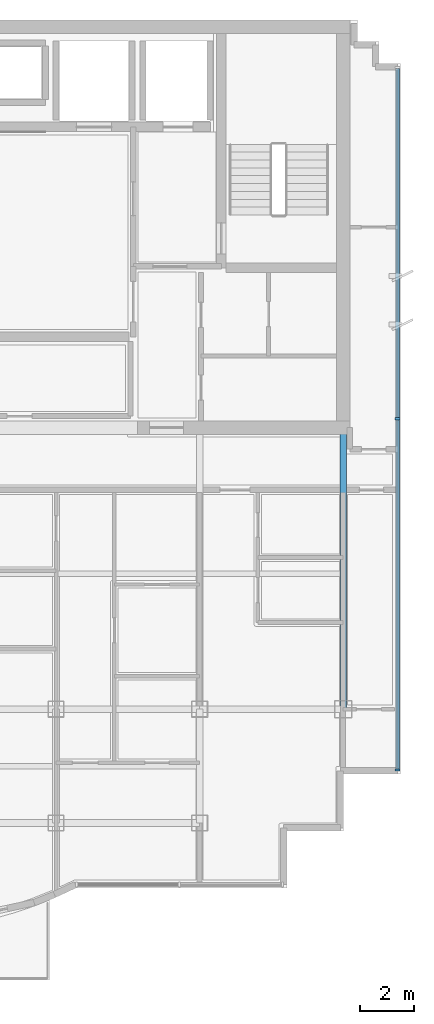
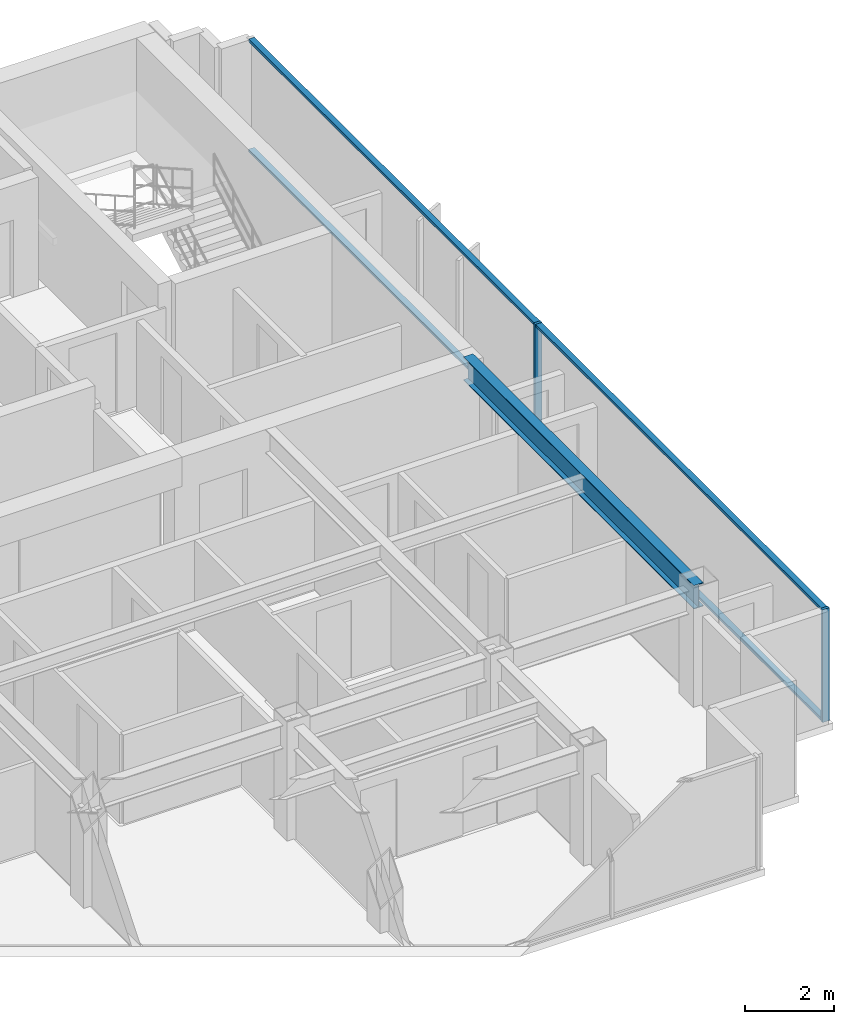
# One storey, part 3 of 11: 6 members, 1 beam, 1 element without a shape of its own.
"""IFC4 building model written with IfcOpenShell, lengths in metres."""

from ifc_helpers import new_model, si_unit, direction, frame, origin, origin_2d, place, context, subcontext, project, spatial, rectangle, i_section, extrude, source, transform, mapped, material, layer, layer_set, material_profile, profile_set, type_object, element, aggregate, save


model = new_model("IFC4")

# Units and contexts
model_context = context("Model", 3, precision=1e-05, world=origin(), true_north=direction((0.0, 1.0)))
body_context = subcontext(model_context, "Body", "Model", "MODEL_VIEW")
ifc_project = project(units=[si_unit("LENGTHUNIT", "METRE"), si_unit("AREAUNIT", "SQUARE_METRE"), si_unit("VOLUMEUNIT", "CUBIC_METRE"), si_unit("PLANEANGLEUNIT", "RADIAN"), si_unit("MASSUNIT", "GRAM", prefix="KILO")], contexts=[model_context])

# Site, building, storey
site_placement = place(None, origin())
site = spatial("IfcSite", under=ifc_project, at=site_placement, CompositionType="ELEMENT")
building_placement = place(site_placement, origin())
building = spatial("IfcBuilding", under=site, at=building_placement, Name="Qianlan Lanfeng Residences", CompositionType="ELEMENT")
storey_placement = place(building_placement, frame((0.0, 0.0, 259.39990234375)))
storey = spatial("IfcBuildingStorey", under=building, at=storey_placement, Name="L72", CompositionType="ELEMENT", Elevation=259.39990234375)

# Beam
ifc_material_1 = material(Name="Steel SN490B", Category="steel")
ifc_material_profile_1 = material_profile(ifc_material_1, i_section(OverallWidth=0.25, OverallDepth=0.64990234375, WebThickness=0.012939453125, FlangeThickness=0.02197265625, at=origin_2d()), Name="H 650x250x13x22")
ifc_profile_set_1 = profile_set([ifc_material_profile_1], Name="Steel SN490B")
beam_type = type_object("IfcBeamType", Name="G-650", PredefinedType="BEAM", material=ifc_profile_set_1)
beam_placement = place(storey_placement, frame((42.39990234375, 14.800048828125, 2.78515625), z_axis=(0.0, 1.0, 0.0), x_axis=(-1.0, 0.0, 0.0)))
element("IfcBeam", 1, at=beam_placement, inside=storey, type_object=beam_type, Name="Structural beam G-650", PredefinedType="BEAM", context=body_context, shape_type="SweptSolid", body=[
    extrude(i_section(OverallWidth=0.25, OverallDepth=0.64990234375, WebThickness=0.012939453125, FlangeThickness=0.02197265625, at=origin_2d()), origin(), (0.0, 0.0, 1.0), 10.39990234375),
])

# Curtain wall, members
ifc_material_2 = material(Name="Anodised Bronze Aluminium 6063-T6", Category="aluminium")
ifc_layer = layer(ifc_material_2, 0.219970703125)
ifc_layer_set = layer_set([ifc_layer], Name="Anodised Bronze Aluminium 6063-T6")
curtain_wall_type = type_object("IfcCurtainWallType", Name="CW-06", PredefinedType="NOTDEFINED", material=ifc_layer_set)
curtain_wall_placement = place(storey_placement, origin())
curtain_wall = element("IfcCurtainWall", 2, at=curtain_wall_placement, inside=storey, type_object=curtain_wall_type, Name="L72 Unitised Curtain Wall CWR-L72-03 (CW-06)", PredefinedType="NOTDEFINED")
ifc_material_profile_2 = material_profile(ifc_material_2, rectangle(XDim=0.074951171875, YDim=0.179931640625, at=origin_2d()), Name="ALU MULLION 75x180")
ifc_profile_set_2 = profile_set([ifc_material_profile_2], Name="Anodised Bronze Aluminium 6063-T6")
member_type_1 = type_object("IfcMemberType", Name="CWM-180", PredefinedType="MULLION", material=ifc_profile_set_2)
shared_shape_1 = source(origin(), body_context, "Body", "SweptSolid", [
    extrude(rectangle(XDim=0.074951171875, YDim=0.179931640625, at=origin_2d()), origin(), (0.0, 0.0, 1.0), 3.110107421875),
])
member_1_placement = place(storey_placement, frame((44.39990234375, 12.5576171875, 0.0), z_axis=(0.0, 0.0, 1.0), x_axis=(0.0, 1.0, 0.0)))
member_1 = element("IfcMember", 3, at=member_1_placement, type_object=member_type_1, Name="CWR-L72-03 Mullion 1", PredefinedType="MULLION", context=body_context, shape_type="MappedRepresentation", body=[
    mapped(shared_shape_1, transform((0.0, 0.0, 0.0), scale=1.0)),
])
member_2_placement = place(storey_placement, frame((44.39990234375, 25.52490234375, 0.0), z_axis=(0.0, 0.0, 1.0), x_axis=(0.0, 1.0, 0.0)))
member_2 = element("IfcMember", 4, at=member_2_placement, type_object=member_type_1, Name="CWR-L72-03 Mullion 2", PredefinedType="MULLION", context=body_context, shape_type="MappedRepresentation", body=[
    mapped(shared_shape_1, transform((0.0, 0.0, 0.0), scale=1.0)),
])
ifc_material_profile_3 = material_profile(ifc_material_2, rectangle(XDim=0.074951171875, YDim=0.14990234375, at=origin_2d()), Name="ALU TRANSOM 75x150")
ifc_profile_set_3 = profile_set([ifc_material_profile_3], Name="Anodised Bronze Aluminium 6063-T6")
member_type_2 = type_object("IfcMemberType", Name="CWT-150", PredefinedType="USERDEFINED", material=ifc_profile_set_3)
shared_shape_2 = source(origin(), body_context, "Body", "SweptSolid", [
    extrude(rectangle(XDim=0.074951171875, YDim=0.14990234375, at=origin_2d()), origin(), (0.0, 0.0, 1.0), 12.892578125),
])
member_3_placement = place(storey_placement, frame((44.39990234375, 12.594970703125, 0.03759765625), z_axis=(0.0, 1.0, 0.0), x_axis=(0.0, 0.0, 1.0)))
member_3 = element("IfcMember", 5, at=member_3_placement, type_object=member_type_2, Name="CWR-L72-03 Transom 1-BOT", ObjectType="TRANSOM", PredefinedType="USERDEFINED", context=body_context, shape_type="MappedRepresentation", body=[
    mapped(shared_shape_2, transform((0.0, 0.0, 0.0), scale=1.0)),
])
member_4_placement = place(storey_placement, frame((44.39990234375, 12.594970703125, 3.072509765625), z_axis=(0.0, 1.0, 0.0), x_axis=(0.0, 0.0, 1.0)))
member_4 = element("IfcMember", 6, at=member_4_placement, type_object=member_type_2, Name="CWR-L72-03 Transom 1-TOP", ObjectType="TRANSOM", PredefinedType="USERDEFINED", context=body_context, shape_type="MappedRepresentation", body=[
    mapped(shared_shape_2, transform((0.0, 0.0, 0.0), scale=1.0)),
])
member_5_placement = place(storey_placement, frame((44.39990234375, 25.5625, 0.03759765625), z_axis=(0.0, 1.0, 0.0), x_axis=(0.0, 0.0, 1.0)))
member_5 = element("IfcMember", 7, at=member_5_placement, type_object=member_type_2, Name="CWR-L72-03 Transom 2-BOT", ObjectType="TRANSOM", PredefinedType="USERDEFINED", context=body_context, shape_type="MappedRepresentation", body=[
    mapped(shared_shape_2, transform((0.0, 0.0, 0.0), scale=1.0)),
])
member_6_placement = place(storey_placement, frame((44.39990234375, 25.5625, 3.072509765625), z_axis=(0.0, 1.0, 0.0), x_axis=(0.0, 0.0, 1.0)))
member_6 = element("IfcMember", 8, at=member_6_placement, type_object=member_type_2, Name="CWR-L72-03 Transom 2-TOP", ObjectType="TRANSOM", PredefinedType="USERDEFINED", context=body_context, shape_type="MappedRepresentation", body=[
    mapped(shared_shape_2, transform((0.0, 0.0, 0.0), scale=1.0)),
])
aggregate(curtain_wall, [member_1, member_2, member_3, member_4, member_5, member_6])

save(model, "model.ifc")
